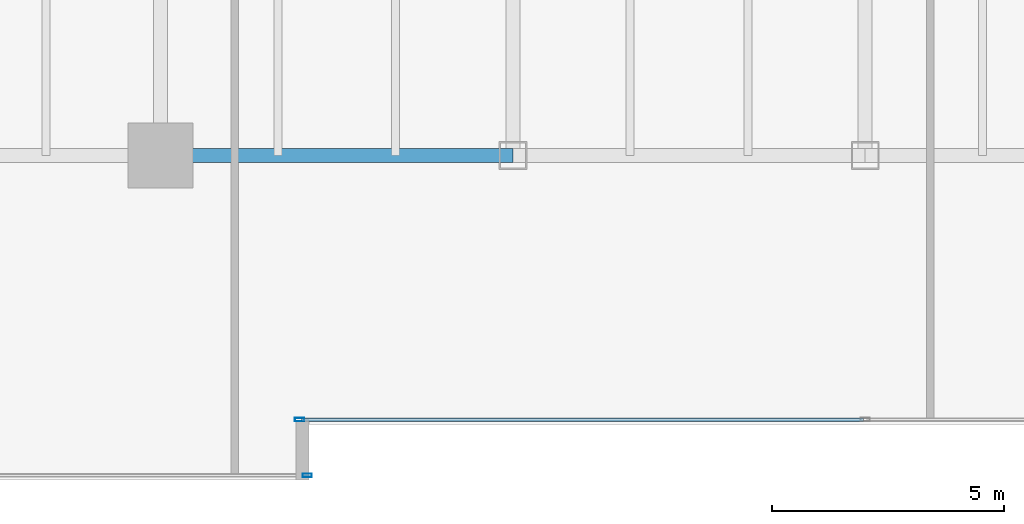
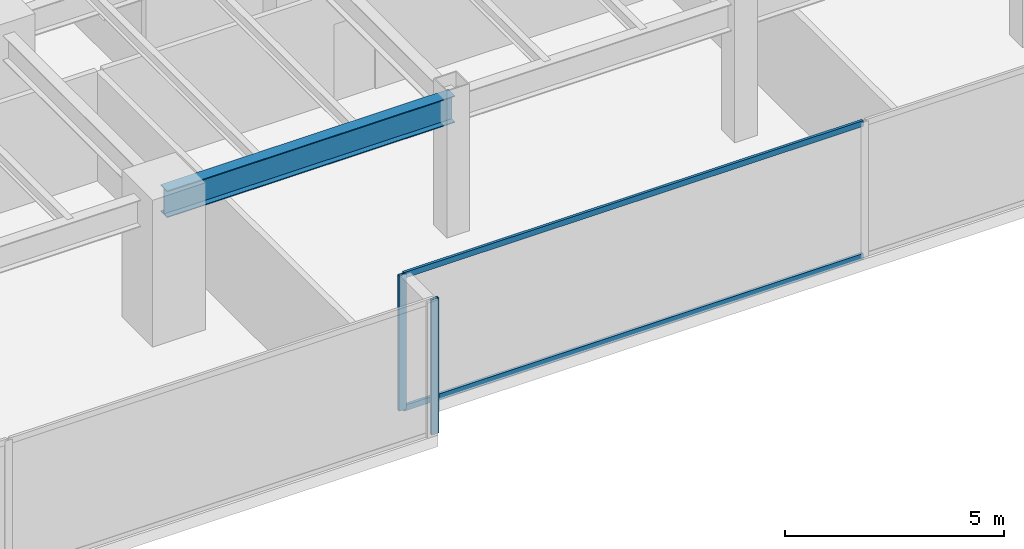
# One storey, part 4 of 35: 4 members, 1 beam, 2 elements without a shape of their own.
"""IFC4 building model written with IfcOpenShell, lengths in metres."""

from ifc_helpers import new_model, si_unit, direction, frame, origin, origin_2d, place, context, subcontext, project, spatial, hollow_rectangle, i_section, extrude, source, transform, mapped, material, layer, layer_set, material_profile, profile_set, type_object, type_shapes, element, aggregate, save


model = new_model("IFC4")

# Units and contexts
model_context = context("Model", 3, precision=1e-05, world=origin(), true_north=direction((0.0, 1.0)))
body_context = subcontext(model_context, "Body", "Model", "MODEL_VIEW")
ifc_project = project(units=[si_unit("LENGTHUNIT", "METRE"), si_unit("AREAUNIT", "SQUARE_METRE"), si_unit("VOLUMEUNIT", "CUBIC_METRE"), si_unit("PLANEANGLEUNIT", "RADIAN"), si_unit("MASSUNIT", "GRAM", prefix="KILO")], contexts=[model_context])

# Site, building, storey
site_placement = place(None, origin())
site = spatial("IfcSite", under=ifc_project, at=site_placement, CompositionType="ELEMENT")
building_placement = place(site_placement, origin())
building = spatial("IfcBuilding", under=site, at=building_placement, Name="Haelvirn Gate Laboratories", CompositionType="ELEMENT")
storey_placement = place(building_placement, frame((0.0, 0.0, 41.60009765625)))
storey = spatial("IfcBuildingStorey", under=building, at=storey_placement, Name="L10", CompositionType="ELEMENT", Elevation=41.60009765625)

# Beam
ifc_material_1 = material(Name="Steel SM355", Category="steel")
ifc_material_profile_1 = material_profile(ifc_material_1, i_section(OverallWidth=0.300048828125, OverallDepth=0.75, WebThickness=0.013916015625, FlangeThickness=0.02392578125, at=origin_2d()), Name="H-750x300x14x24")
ifc_profile_set_1 = profile_set([ifc_material_profile_1], Name="Steel SM355")
beam_type = type_object("IfcBeamType", Name="BM-G-750", PredefinedType="BEAM", material=ifc_profile_set_1)
shared_shape_1 = source(origin(), body_context, "Body", "SweptSolid", [
    extrude(i_section(OverallWidth=0.300048828125, OverallDepth=0.75, WebThickness=0.013916015625, FlangeThickness=0.02392578125, at=origin_2d()), origin(), (0.0, 0.0, 1.0), 7.60009765625),
])
type_shapes(beam_type, [shared_shape_1])
beam_placement = place(storey_placement, frame((22.199951171875, 7.0, 3.40478515625), z_axis=(1.0, 0.0, 0.0), x_axis=(0.0, 1.0, 0.0)))
element("IfcBeam", 1, at=beam_placement, inside=storey, type_object=beam_type, Name="L10 Primary Girder Y7.0 (22.2-29.8)", PredefinedType="BEAM", context=body_context, shape_type="MappedRepresentation", body=[
    mapped(shared_shape_1, transform((0.0, 0.0, 0.0), scale=1.0)),
])

# Curtain wall, members
ifc_material_2 = material(Name="Anodised bronze unitised aluminium & triple low-E glass", Category="aluminium")
ifc_layer = layer(ifc_material_2, 0.18408203125, Name="CW-SYS-2")
ifc_layer_set = layer_set([ifc_layer], Name="Anodised bronze unitised aluminium & triple low-E glass")
curtain_wall_type = type_object("IfcCurtainWallType", Name="CW-SYS-2", PredefinedType="NOTDEFINED", material=ifc_layer_set)
curtain_wall_1_placement = place(storey_placement, origin())
curtain_wall_1 = element("IfcCurtainWall", 2, at=curtain_wall_1_placement, inside=storey, type_object=curtain_wall_type, Name="L10 Unitised Curtain Wall CW-L10-P0-E02-1", PredefinedType="NOTDEFINED")
ifc_material_3 = material(Name="Extruded aluminium 6063-T6 (anodised bronze)", Category="aluminium")
ifc_material_profile_2 = material_profile(ifc_material_3, hollow_rectangle(XDim=0.070068359375, YDim=0.159912109375, WallThickness=0.0048828125, at=origin_2d()), Name="CWT-160x70x5")
ifc_profile_set_2 = profile_set([ifc_material_profile_2], Name="Extruded aluminium 6063-T6 (anodised bronze)")
member_type_1 = type_object("IfcMemberType", Name="CWT-T160", PredefinedType="USERDEFINED", material=ifc_profile_set_2)
shared_shape_2 = source(origin(), body_context, "Body", "SweptSolid", [
    extrude(hollow_rectangle(XDim=0.070068359375, YDim=0.159912109375, WallThickness=0.0048828125, at=origin_2d()), origin(), (0.0, 0.0, 1.0), 12.12744140625),
])
type_shapes(member_type_1, [shared_shape_2])
member_1_placement = place(storey_placement, frame((25.235107421875, 1.300048828125, 0.034912109375), z_axis=(1.0, 0.0, 0.0), x_axis=(0.0, 1.0, 0.0)))
member_1 = element("IfcMember", 3, at=member_1_placement, type_object=member_type_1, Name="CW2 transom 1.1", ObjectType="TRANSOM", PredefinedType="USERDEFINED", context=body_context, shape_type="MappedRepresentation", body=[
    mapped(shared_shape_2, transform((0.0, 0.0, 0.0), scale=1.0)),
])
member_2_placement = place(storey_placement, frame((25.235107421875, 1.300048828125, 3.744873046875), z_axis=(1.0, 0.0, 0.0), x_axis=(0.0, 1.0, 0.0)))
member_2 = element("IfcMember", 4, at=member_2_placement, type_object=member_type_1, Name="CW2 transom 1.2", ObjectType="TRANSOM", PredefinedType="USERDEFINED", context=body_context, shape_type="MappedRepresentation", body=[
    mapped(shared_shape_2, transform((0.0, 0.0, 0.0), scale=1.0)),
])

# Curtain wall, member
curtain_wall_2_placement = place(storey_placement, origin())
curtain_wall_2 = element("IfcCurtainWall", 5, at=curtain_wall_2_placement, inside=storey, type_object=curtain_wall_type, Name="L10 Unitised Curtain Wall CW-L10-P0-E00-1", PredefinedType="NOTDEFINED")
ifc_material_profile_3 = material_profile(ifc_material_3, hollow_rectangle(XDim=0.074951171875, YDim=0.199951171875, WallThickness=0.0048828125, at=origin_2d()), Name="CWM-200x75x5")
ifc_profile_set_3 = profile_set([ifc_material_profile_3], Name="Extruded aluminium 6063-T6 (anodised bronze)")
member_type_2 = type_object("IfcMemberType", Name="CWM-T200", PredefinedType="MULLION", material=ifc_profile_set_3)
shared_shape_3 = source(origin(), body_context, "Body", "SweptSolid", [
    extrude(hollow_rectangle(XDim=0.074951171875, YDim=0.199951171875, WallThickness=0.0048828125, at=origin_2d()), origin(), (0.0, 0.0, 1.0), 3.77978515625),
])
type_shapes(member_type_2, [shared_shape_3])
member_3_placement = place(storey_placement, frame((25.362548828125, 0.10009765625, 0.0), z_axis=(0.0, 0.0, 1.0), x_axis=(0.0, 1.0, 0.0)))
member_3 = element("IfcMember", 6, at=member_3_placement, type_object=member_type_2, Name="CW2 mullion 3", PredefinedType="MULLION", context=body_context, shape_type="MappedRepresentation", body=[
    mapped(shared_shape_3, transform((0.0, 0.0, 0.0), scale=1.0)),
])
aggregate(curtain_wall_2, [member_3])

# Member
member_4_placement = place(storey_placement, frame((25.197509765625, 1.300048828125, 0.0), z_axis=(0.0, 0.0, 1.0), x_axis=(0.0, 1.0, 0.0)))
member_4 = element("IfcMember", 7, at=member_4_placement, type_object=member_type_2, Name="CW2 mullion 1", PredefinedType="MULLION", context=body_context, shape_type="MappedRepresentation", body=[
    mapped(shared_shape_3, transform((0.0, 0.0, 0.0), scale=1.0)),
])

aggregate(curtain_wall_1, [member_4, member_1, member_2])

save(model, "model.ifc")
